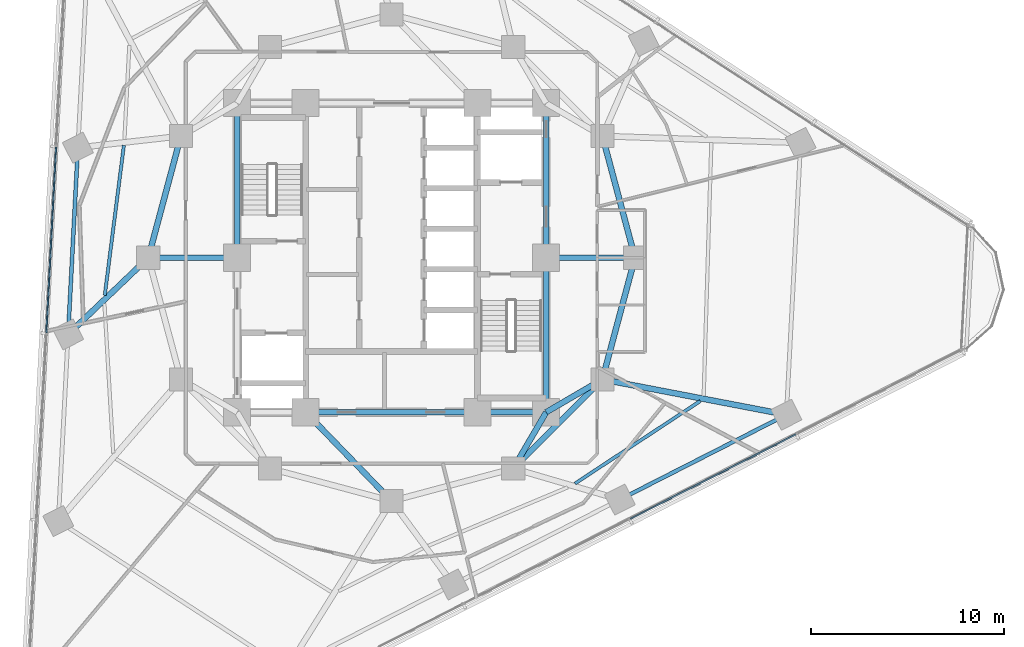
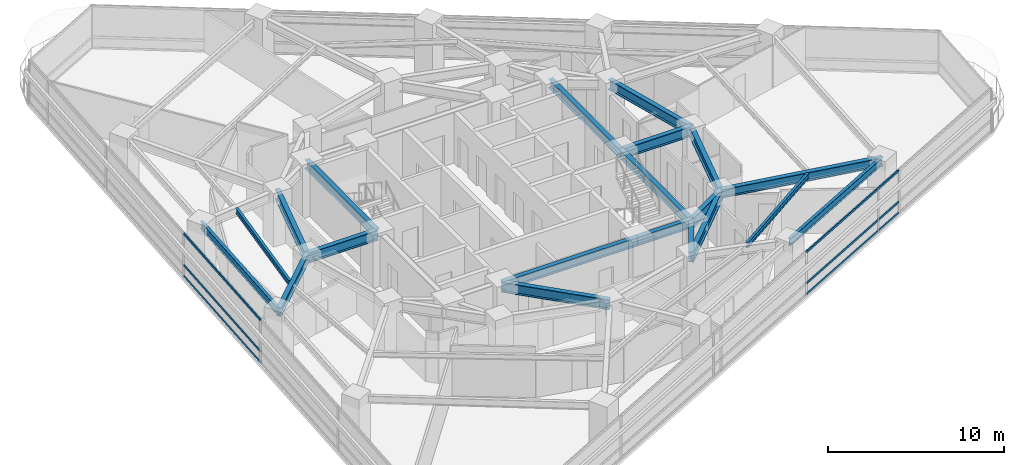
# One storey, part 3 of 14: 20 beams, 6 members, 2 elements without a shape of their own.
"""IFC4 building model written with IfcOpenShell, lengths in metres."""

from ifc_helpers import new_model, si_unit, direction, frame, origin, origin_2d, place, context, subcontext, project, spatial, rectangle, i_section, extrude, material, layer, layer_set, material_profile, profile_set, type_object, element, aggregate, save


model = new_model("IFC4")

# Units and contexts
model_context = context("Model", 3, precision=1e-05, world=origin(), true_north=direction((0.0, 1.0)))
body_context = subcontext(model_context, "Body", "Model", "MODEL_VIEW")
ifc_project = project(units=[si_unit("LENGTHUNIT", "METRE"), si_unit("AREAUNIT", "SQUARE_METRE"), si_unit("VOLUMEUNIT", "CUBIC_METRE"), si_unit("PLANEANGLEUNIT", "RADIAN"), si_unit("MASSUNIT", "GRAM", prefix="KILO")], contexts=[model_context])

# Site, building, storey
site_placement = place(None, origin())
site = spatial("IfcSite", under=ifc_project, at=site_placement, CompositionType="ELEMENT")
building_placement = place(site_placement, origin())
building = spatial("IfcBuilding", under=site, at=building_placement, Name="Terralouvre Media Tower", CompositionType="ELEMENT")
storey_placement = place(building_placement, frame((0.0, 0.0, 127.300048828125)))
storey = spatial("IfcBuildingStorey", under=building, at=storey_placement, Name="L32", CompositionType="ELEMENT", Elevation=127.300048828125)

# Beams
ifc_material_1 = material(Name="Structural steel S355J2", Category="steel")
ifc_material_profile_1 = material_profile(ifc_material_1, i_section(OverallWidth=0.169921875, OverallDepth=0.360107421875, WebThickness=0.008056640625, FlangeThickness=0.0126953125, at=origin_2d()), Name="IPE 360")
ifc_profile_set_1 = profile_set([ifc_material_profile_1], Name="Structural steel S355J2")
beam_type_1 = type_object("IfcBeamType", Name="Composite Floor Joist J-IPE360 (IPE 360)", PredefinedType="JOIST", material=ifc_profile_set_1)
beam_1_placement = place(storey_placement, frame((9.494873046875, -11.69140625, 3.320068359375), z_axis=(0.835078132026, 0.550131360142, 0.0), x_axis=(-0.550131360142, 0.835078132026, 0.0)))
element("IfcBeam", 1, at=beam_1_placement, inside=storey, type_object=beam_type_1, Name="L32 Framing Beam JT-L32-05", PredefinedType="JOIST", context=body_context, shape_type="SweptSolid", body=[
    extrude(i_section(OverallWidth=0.169921875, OverallDepth=0.360107421875, WebThickness=0.008056640625, FlangeThickness=0.0126953125, at=origin_2d()), origin(), (0.0, 0.0, 1.0), 7.75830078125),
])
beam_2_placement = place(storey_placement, frame((-13.864990234375, 5.81787109375, 3.320068359375), z_axis=(-0.126325695796, -0.991988819787, 0.0), x_axis=(0.991988819787, -0.126325695796, 0.0)))
element("IfcBeam", 2, at=beam_2_placement, inside=storey, type_object=beam_type_1, Name="L32 Framing Beam JT-L32-12", PredefinedType="JOIST", context=body_context, shape_type="SweptSolid", body=[
    extrude(i_section(OverallWidth=0.169921875, OverallDepth=0.360107421875, WebThickness=0.008056640625, FlangeThickness=0.0126953125, at=origin_2d()), origin(), (0.0, 0.0, 1.0), 7.8291015625),
])

# Curtain wall, members
ifc_material_2 = material(Name="Low-iron laminated double glazing with solar-control coating", Category="glass")
ifc_layer = layer(ifc_material_2, 0.1650390625, Name="Production Studio Tower Curtain Wall CW-03")
ifc_layer_set = layer_set([ifc_layer], Name="Low-iron laminated double glazing with solar-control coating")
curtain_wall_type = type_object("IfcCurtainWallType", Name="Production Studio Tower Curtain Wall CW-03", PredefinedType="NOTDEFINED", material=ifc_layer_set)
curtain_wall_1_placement = place(storey_placement, origin())
curtain_wall_1 = element("IfcCurtainWall", 3, at=curtain_wall_1_placement, inside=storey, type_object=curtain_wall_type, Name="L32 Facade Curtain Wall F0", PredefinedType="NOTDEFINED")
ifc_material_3 = material(Name="Anodised extruded aluminium 6063-T6", Category="aluminium")
ifc_material_profile_2 = material_profile(ifc_material_3, rectangle(XDim=0.074951171875, YDim=0.14990234375, at=origin_2d()), Name="ALU 75x150")
ifc_profile_set_2 = profile_set([ifc_material_profile_2], Name="Anodised extruded aluminium 6063-T6")
member_type = type_object("IfcMemberType", Name="Curtain-Wall Horizontal Transom TR-150", PredefinedType="USERDEFINED", material=ifc_profile_set_2)
member_1_placement = place(storey_placement, frame((12.359619140625, -13.513671875, 0.037353515625), z_axis=(0.891005548508, 0.453992414615, 0.0), x_axis=(-0.453992414615, 0.891005548508, 0.0)))
member_1 = element("IfcMember", 4, at=member_1_placement, type_object=member_type, Name="CW-03 transom 4.1", ObjectType="TRANSOM", PredefinedType="USERDEFINED", context=body_context, shape_type="SweptSolid", body=[
    extrude(rectangle(XDim=0.074951171875, YDim=0.14990234375, at=origin_2d()), origin(), (0.0, 0.0, 1.0), 9.60498046875),
])
member_2_placement = place(storey_placement, frame((12.359619140625, -13.513671875, 0.800048828125), z_axis=(0.891005548508, 0.453992414615, 0.0), x_axis=(-0.453992414615, 0.891005548508, 0.0)))
member_2 = element("IfcMember", 5, at=member_2_placement, type_object=member_type, Name="CW-03 transom 4.2", ObjectType="TRANSOM", PredefinedType="USERDEFINED", context=body_context, shape_type="SweptSolid", body=[
    extrude(rectangle(XDim=0.074951171875, YDim=0.14990234375, at=origin_2d()), origin(), (0.0, 0.0, 1.0), 9.60498046875),
])
member_3_placement = place(storey_placement, frame((12.359619140625, -13.513671875, 2.96240234375), z_axis=(0.891005548508, 0.453992414615, 0.0), x_axis=(-0.453992414615, 0.891005548508, 0.0)))
member_3 = element("IfcMember", 6, at=member_3_placement, type_object=member_type, Name="CW-03 transom 4.3", ObjectType="TRANSOM", PredefinedType="USERDEFINED", context=body_context, shape_type="SweptSolid", body=[
    extrude(rectangle(XDim=0.074951171875, YDim=0.14990234375, at=origin_2d()), origin(), (0.0, 0.0, 1.0), 9.60498046875),
])
aggregate(curtain_wall_1, [member_1, member_2, member_3])

curtain_wall_2_placement = place(storey_placement, origin())
curtain_wall_2 = element("IfcCurtainWall", 7, at=curtain_wall_2_placement, inside=storey, type_object=curtain_wall_type, Name="L32 Facade Curtain Wall F2", PredefinedType="NOTDEFINED")
member_4_placement = place(storey_placement, frame((-17.37646484375, 5.7197265625, 0.037353515625), z_axis=(-0.052336036535, -0.998629530547, 0.0), x_axis=(0.998629530547, -0.052336036535, 0.0)))
member_4 = element("IfcMember", 8, at=member_4_placement, type_object=member_type, Name="CW-03 transom 3.1", ObjectType="TRANSOM", PredefinedType="USERDEFINED", context=body_context, shape_type="SweptSolid", body=[
    extrude(rectangle(XDim=0.074951171875, YDim=0.14990234375, at=origin_2d()), origin(), (0.0, 0.0, 1.0), 9.60498046875),
])
member_5_placement = place(storey_placement, frame((-17.37646484375, 5.7197265625, 0.800048828125), z_axis=(-0.052336036535, -0.998629530547, 0.0), x_axis=(0.998629530547, -0.052336036535, 0.0)))
member_5 = element("IfcMember", 9, at=member_5_placement, type_object=member_type, Name="CW-03 transom 3.2", ObjectType="TRANSOM", PredefinedType="USERDEFINED", context=body_context, shape_type="SweptSolid", body=[
    extrude(rectangle(XDim=0.074951171875, YDim=0.14990234375, at=origin_2d()), origin(), (0.0, 0.0, 1.0), 9.60498046875),
])
member_6_placement = place(storey_placement, frame((-17.37646484375, 5.7197265625, 2.96240234375), z_axis=(-0.052336036535, -0.998629530547, 0.0), x_axis=(0.998629530547, -0.052336036535, 0.0)))
member_6 = element("IfcMember", 10, at=member_6_placement, type_object=member_type, Name="CW-03 transom 3.3", ObjectType="TRANSOM", PredefinedType="USERDEFINED", context=body_context, shape_type="SweptSolid", body=[
    extrude(rectangle(XDim=0.074951171875, YDim=0.14990234375, at=origin_2d()), origin(), (0.0, 0.0, 1.0), 9.60498046875),
])
aggregate(curtain_wall_2, [member_4, member_5, member_6])

# Beams
ifc_material_4 = material(Name="Structural steel S355J2", Category="steel")
ifc_material_profile_3 = material_profile(ifc_material_4, i_section(OverallWidth=0.199951171875, OverallDepth=0.5, WebThickness=0.01025390625, FlangeThickness=0.01611328125, at=origin_2d()), Name="IPE 500")
ifc_profile_set_3 = profile_set([ifc_material_profile_3], Name="Structural steel S355J2")
beam_type_2 = type_object("IfcBeamType", Name="Perimeter Spandrel Beam SPB-500 (IPE 500)", PredefinedType="SPANDREL", material=ifc_profile_set_3)
for number, where, z_axis, x_axis, name in (
    (11, (11.813232421875, -12.523681640625, 3.25), (0.891011779054, 0.453980186338, 0.0), (-0.453980186338, 0.891011779054, 0.0), "L32 Framing Beam BM-L32-PR05"),
    (12, (-16.245849609375, 5.697998046875, 3.25), (-0.052333792648, -0.998629648141, 0.0), (0.998629648141, -0.052333792648, 0.0), "L32 Framing Beam BM-L32-PR12"),
):
    element("IfcBeam", number, at=place(storey_placement, frame(where, z_axis=z_axis, x_axis=x_axis)), inside=storey, type_object=beam_type_2, Name=name, PredefinedType="SPANDREL", context=body_context, shape_type="SweptSolid", body=[
        extrude(i_section(OverallWidth=0.199951171875, OverallDepth=0.5, WebThickness=0.01025390625, FlangeThickness=0.01611328125, at=origin_2d()), origin(), (0.0, 0.0, 1.0), 9.679931640625),
    ])
ifc_material_5 = material(Name="Structural steel S460M", Category="steel")
ifc_material_profile_4 = material_profile(ifc_material_5, i_section(OverallWidth=0.300048828125, OverallDepth=0.60009765625, WebThickness=0.015380859375, FlangeThickness=0.030029296875, at=origin_2d()), Name="HEB 600")
ifc_profile_set_4 = profile_set([ifc_material_profile_4], Name="Structural steel S460M")
beam_type_3 = type_object("IfcBeamType", Name="Primary Floor Girder B-HEB600 (HEB 600)", PredefinedType="BEAM", material=ifc_profile_set_4)
beam_3_placement = place(storey_placement, frame((-4.449951171875, -8.0, 3.199951171875), z_axis=(1.0, 0.0, 0.0), x_axis=(0.0, 1.0, 0.0)))
element("IfcBeam", 13, at=beam_3_placement, inside=storey, type_object=beam_type_3, Name="L32 Framing Beam BM-L32-CPR02", PredefinedType="BEAM", context=body_context, shape_type="SweptSolid", body=[
    extrude(i_section(OverallWidth=0.300048828125, OverallDepth=0.60009765625, WebThickness=0.015380859375, FlangeThickness=0.030029296875, at=origin_2d()), origin(), (0.0, 0.0, 1.0), 8.89990234375),
])
beam_4_placement = place(storey_placement, frame((4.449951171875, -8.0, 3.199951171875), z_axis=(1.0, 0.0, 0.0), x_axis=(0.0, 1.0, 0.0)))
element("IfcBeam", 14, at=beam_4_placement, inside=storey, type_object=beam_type_3, Name="L32 Framing Beam BM-L32-CPR03", PredefinedType="BEAM", context=body_context, shape_type="SweptSolid", body=[
    extrude(i_section(OverallWidth=0.300048828125, OverallDepth=0.60009765625, WebThickness=0.015380859375, FlangeThickness=0.030029296875, at=origin_2d()), origin(), (0.0, 0.0, 1.0), 3.550048828125),
])
for number, where, z_axis, x_axis, name in (
    (15, (8.0, -8.0, 3.199951171875), (0.0, 1.0, 0.0), (-1.0, 0.0, 0.0), "L32 Framing Beam BM-L32-CPR04"),
    (16, (8.0, 0.0, 3.199951171875), (0.0, 1.0, 0.0), (-1.0, 0.0, 0.0), "L32 Framing Beam BM-L32-CPR05"),
    (17, (-8.0, 8.0, 3.199951171875), (0.0, -1.0, 0.0), (1.0, 0.0, 0.0), "L32 Framing Beam BM-L32-CPR09"),
):
    element("IfcBeam", number, at=place(storey_placement, frame(where, z_axis=z_axis, x_axis=x_axis)), inside=storey, type_object=beam_type_3, Name=name, PredefinedType="BEAM", context=body_context, shape_type="SweptSolid", body=[
        extrude(i_section(OverallWidth=0.300048828125, OverallDepth=0.60009765625, WebThickness=0.015380859375, FlangeThickness=0.030029296875, at=origin_2d()), origin(), (0.0, 0.0, 1.0), 8.0),
    ])
beam_5_placement = place(storey_placement, frame((-12.60009765625, 0.0, 3.199951171875), z_axis=(-0.722907652864, -0.690944661627, 0.0), x_axis=(0.690944661627, -0.722907652864, 0.0)))
element("IfcBeam", 18, at=beam_5_placement, inside=storey, type_object=beam_type_3, Name="L32 Framing Beam BM-L32-RD01", PredefinedType="BEAM", context=body_context, shape_type="SweptSolid", body=[
    extrude(i_section(OverallWidth=0.300048828125, OverallDepth=0.60009765625, WebThickness=0.015380859375, FlangeThickness=0.030029296875, at=origin_2d()), origin(), (0.0, 0.0, 1.0), 5.743896484375),
])
beam_6_placement = place(storey_placement, frame((10.911865234375, -6.300048828125, 3.199951171875), z_axis=(0.982061695862, -0.188559872511, 0.0), x_axis=(0.188559872511, 0.982061695862, 0.0)))
element("IfcBeam", 19, at=beam_6_placement, inside=storey, type_object=beam_type_3, Name="L32 Framing Beam BM-L32-RD06", PredefinedType="BEAM", context=body_context, shape_type="SweptSolid", body=[
    extrude(i_section(OverallWidth=0.300048828125, OverallDepth=0.60009765625, WebThickness=0.015380859375, FlangeThickness=0.030029296875, at=origin_2d()), origin(), (0.0, 0.0, 1.0), 9.700439453125),
])
ifc_material_6 = material(Name="Structural steel S460M", Category="steel")
ifc_material_profile_5 = material_profile(ifc_material_6, i_section(OverallWidth=0.300048828125, OverallDepth=0.699951171875, WebThickness=0.01708984375, FlangeThickness=0.031982421875, at=origin_2d()), Name="HEB 700")
ifc_profile_set_5 = profile_set([ifc_material_profile_5], Name="Structural steel S460M")
beam_type_4 = type_object("IfcBeamType", Name="Primary Floor Girder B-HEB700 (HEB 700)", PredefinedType="BEAM", material=ifc_profile_set_5)
beam_7_placement = place(storey_placement, frame((6.300048828125, -10.911865234375, 3.14990234375), z_axis=(0.707106781187, 0.707106781187, 0.0), x_axis=(-0.707106781187, 0.707106781187, 0.0)))
element("IfcBeam", 20, at=beam_7_placement, inside=storey, type_object=beam_type_4, Name="L32 Framing Beam BM-L32-MR04", PredefinedType="BEAM", context=body_context, shape_type="SweptSolid", body=[
    extrude(i_section(OverallWidth=0.300048828125, OverallDepth=0.699951171875, WebThickness=0.01708984375, FlangeThickness=0.031982421875, at=origin_2d()), origin(), (0.0, 0.0, 1.0), 6.52197265625),
])
for number, where, z_axis, x_axis, name in (
    (21, (10.911865234375, -6.300048828125, 3.14990234375), (0.258838989821, 0.965920481897, 0.0), (-0.965920481897, 0.258838989821, 0.0), "L32 Framing Beam BM-L32-MR05"),
    (22, (12.60009765625, 0.0, 3.14990234375), (-0.258838989821, 0.965920481897, 0.0), (-0.965920481897, -0.258838989821, 0.0), "L32 Framing Beam BM-L32-MR06"),
    (23, (-10.911865234375, 6.300048828125, 3.14990234375), (-0.258838989821, -0.965920481897, 0.0), (0.965920481897, -0.258838989821, 0.0), "L32 Framing Beam BM-L32-MR11"),
):
    element("IfcBeam", number, at=place(storey_placement, frame(where, z_axis=z_axis, x_axis=x_axis)), inside=storey, type_object=beam_type_4, Name=name, PredefinedType="BEAM", context=body_context, shape_type="SweptSolid", body=[
        extrude(i_section(OverallWidth=0.300048828125, OverallDepth=0.699951171875, WebThickness=0.01708984375, FlangeThickness=0.031982421875, at=origin_2d()), origin(), (0.0, 0.0, 1.0), 6.522216796875),
    ])
beam_8_placement = place(storey_placement, frame((-4.449951171875, -8.0, 3.14990234375), z_axis=(0.695279715726, -0.718739255155, 0.0), x_axis=(0.718739255155, 0.695279715726, 0.0)))
element("IfcBeam", 24, at=beam_8_placement, inside=storey, type_object=beam_type_4, Name="L32 Framing Beam BM-L32-CM03", PredefinedType="BEAM", context=body_context, shape_type="SweptSolid", body=[
    extrude(i_section(OverallWidth=0.300048828125, OverallDepth=0.699951171875, WebThickness=0.01708984375, FlangeThickness=0.031982421875, at=origin_2d()), origin(), (0.0, 0.0, 1.0), 6.400146484375),
])
for number, where, z_axis, x_axis, name in (
    (25, (8.0, -8.0, 3.14990234375), (-0.504172629717, -0.863602894532, 0.0), (0.863602894532, -0.504172629717, 0.0), "L32 Framing Beam BM-L32-CM04"),
    (26, (8.0, -8.0, 3.14990234375), (0.863602894532, 0.504172629717, 0.0), (-0.504172629717, 0.863602894532, 0.0), "L32 Framing Beam BM-L32-CM05"),
):
    element("IfcBeam", number, at=place(storey_placement, frame(where, z_axis=z_axis, x_axis=x_axis)), inside=storey, type_object=beam_type_4, Name=name, PredefinedType="BEAM", context=body_context, shape_type="SweptSolid", body=[
        extrude(i_section(OverallWidth=0.300048828125, OverallDepth=0.699951171875, WebThickness=0.01708984375, FlangeThickness=0.031982421875, at=origin_2d()), origin(), (0.0, 0.0, 1.0), 3.371826171875),
    ])
for number, where, z_axis, x_axis, name in (
    (27, (8.0, 0.0, 3.14990234375), (1.0, 0.0, 0.0), (0.0, 1.0, 0.0), "L32 Framing Beam BM-L32-CM06"),
    (28, (-8.0, 0.0, 3.14990234375), (-1.0, 0.0, 0.0), (0.0, -1.0, 0.0), "L32 Framing Beam BM-L32-CM12"),
):
    element("IfcBeam", number, at=place(storey_placement, frame(where, z_axis=z_axis, x_axis=x_axis)), inside=storey, type_object=beam_type_4, Name=name, PredefinedType="BEAM", context=body_context, shape_type="SweptSolid", body=[
        extrude(i_section(OverallWidth=0.300048828125, OverallDepth=0.699951171875, WebThickness=0.01708984375, FlangeThickness=0.031982421875, at=origin_2d()), origin(), (0.0, 0.0, 1.0), 4.60009765625),
    ])

save(model, "model.ifc")
